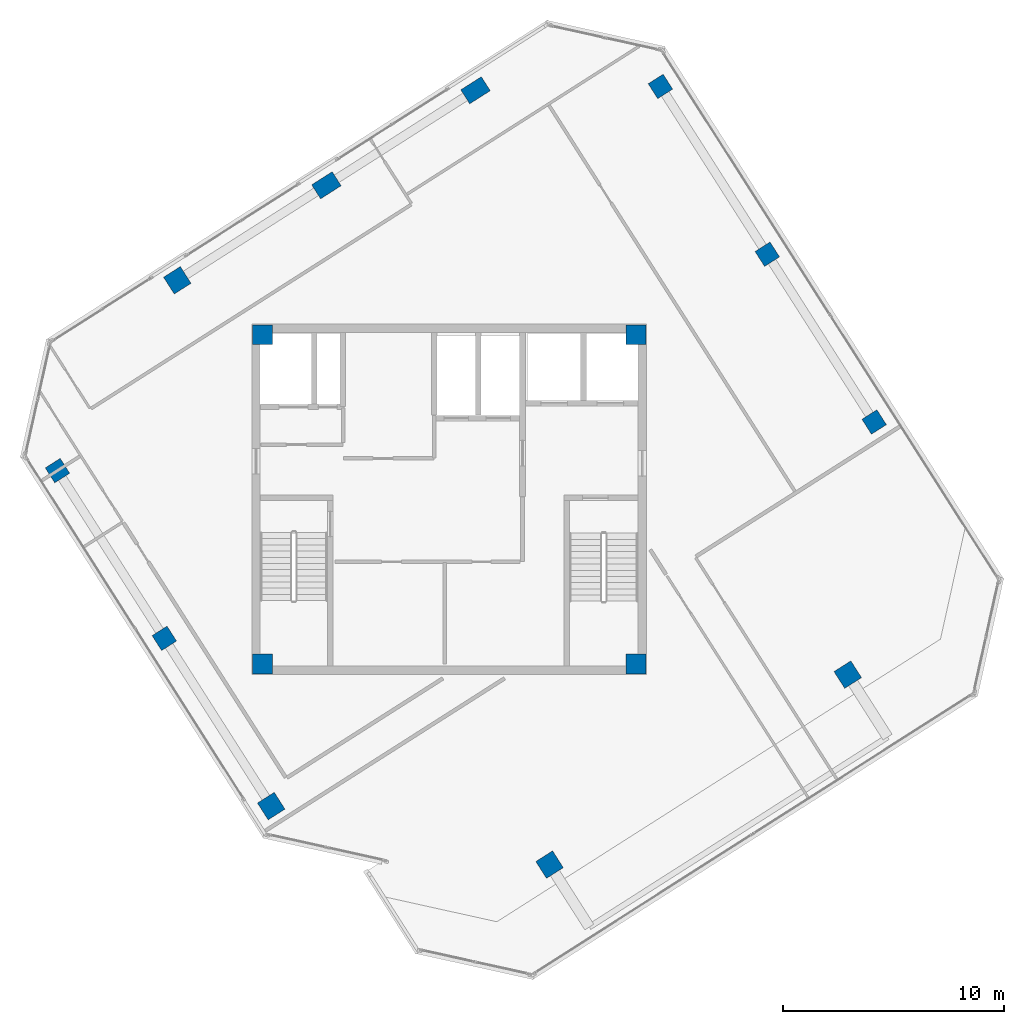
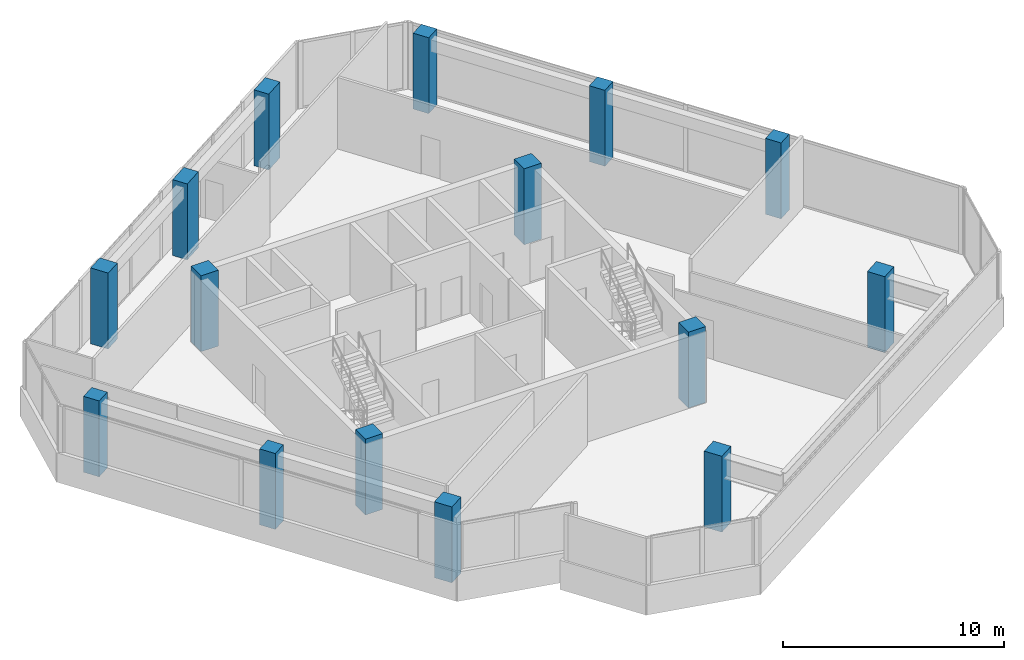
# One storey, part 1 of 15: 15 columns.
"""IFC4 building model written with IfcOpenShell, lengths in metres."""

from ifc_helpers import new_model, si_unit, direction, frame, origin, origin_2d, place, context, subcontext, project, spatial, rectangle, extrude, source, transform, mapped, material, material_profile, profile_set, type_object, element, save


model = new_model("IFC4")

# Units and contexts
model_context = context("Model", 3, precision=1e-05, world=origin(), true_north=direction((0.0, 1.0)))
body_context = subcontext(model_context, "Body", "Model", "MODEL_VIEW")
ifc_project = project(units=[si_unit("LENGTHUNIT", "METRE"), si_unit("AREAUNIT", "SQUARE_METRE"), si_unit("VOLUMEUNIT", "CUBIC_METRE"), si_unit("PLANEANGLEUNIT", "RADIAN"), si_unit("MASSUNIT", "GRAM", prefix="KILO")], contexts=[model_context])

# Site, building, storey
site_placement = place(None, origin())
site = spatial("IfcSite", under=ifc_project, at=site_placement, CompositionType="ELEMENT")
building_placement = place(site_placement, origin())
building = spatial("IfcBuilding", under=site, at=building_placement, Name="Torre Montelarca", CompositionType="ELEMENT")
storey_placement = place(building_placement, frame((0.0, 0.0, 311.39990234375)))
storey = spatial("IfcBuildingStorey", under=building, at=storey_placement, Name="L70", CompositionType="ELEMENT", Elevation=311.39990234375)

# Columns
ifc_material_1 = material(Name="Concrete C55/67", Category="concrete")
ifc_material_profile_1 = material_profile(ifc_material_1, rectangle(XDim=0.89990234375, YDim=0.89990234375, at=origin_2d()), Name="RC900X900", Category="concrete")
ifc_profile_set_1 = profile_set([ifc_material_profile_1], Name="Concrete C55/67")
column_type_1 = type_object("IfcColumnType", Name="COL-RC900", PredefinedType="COLUMN", material=ifc_profile_set_1)
shared_shape_1 = source(origin(), body_context, "Body", "SweptSolid", [
    extrude(rectangle(XDim=0.89990234375, YDim=0.89990234375, at=origin_2d()), origin(), (0.0, 0.0, 1.0), 4.19873046875),
])
for number, where, z_axis, x_axis, name in (
    (1, (9.550048828125, 24.550048828125, 0.000732421875), (0.0, 0.0, 1.0), (1.0, 0.0, 0.0), "L70 Plumb Core Corner Column 2D"),
    (2, (26.449951171875, 24.550048828125, 0.000732421875), (0.0, 0.0, 1.0), (1.0, 0.0, 0.0), "L70 Plumb Core Corner Column 4D"),
    (3, (9.550048828125, 39.449951171875, 0.000732421875), (0.0, 0.0, 1.0), (1.0, 0.0, 0.0), "L70 Plumb Core Corner Column 2F"),
    (4, (26.449951171875, 39.449951171875, 0.000732421875), (0.0, 0.0, 1.0), (1.0, 0.0, 0.0), "L70 Plumb Core Corner Column 4F"),
):
    element("IfcColumn", number, at=place(storey_placement, frame(where, z_axis=z_axis, x_axis=x_axis)), inside=storey, type_object=column_type_1, Name=name, PredefinedType="COLUMN", context=body_context, shape_type="MappedRepresentation", body=[
        mapped(shared_shape_1, transform((0.0, 0.0, 0.0), scale=1.0)),
    ])
ifc_material_profile_2 = material_profile(ifc_material_1, rectangle(XDim=0.89990234375, YDim=0.89990234375, at=origin_2d()), Name="RC900X900", Category="concrete")
ifc_profile_set_2 = profile_set([ifc_material_profile_2], Name="Concrete C55/67")
column_type_2 = type_object("IfcColumnType", Name="COL-RC900-EXT", PredefinedType="COLUMN", material=ifc_profile_set_2)
shared_shape_2 = source(origin(), body_context, "Body", "SweptSolid", [
    extrude(rectangle(XDim=0.89990234375, YDim=0.89990234375, at=origin_2d()), origin(), (0.0, 0.0, 1.0), 4.19873046875),
])
for number, where, z_axis, x_axis, name in (
    (5, (9.94873046875, 18.119873046875, 0.000732421875), (0.0, 0.0, 1.0), (-0.537299608347, 0.843391445813, 0.0), "L70 Column 4/CS"),
    (6, (22.543701171875, 15.472412109375, 0.000732421875), (0.0, 0.0, 1.0), (-0.537299608347, 0.843391445813, 0.0), "L70 Column 5/D"),
    (7, (36.0380859375, 24.069091796875, 0.000732421875), (0.0, 0.0, 1.0), (-0.537299608347, 0.843391445813, 0.0), "L70 Column 5/F"),
    (8, (5.699462890625, 41.91259765625, 0.000732421875), (0.0, 0.0, 1.0), (-0.537299608347, 0.843391445813, 0.0), "L70 Column 1W/D"),
):
    element("IfcColumn", number, at=place(storey_placement, frame(where, z_axis=z_axis, x_axis=x_axis)), inside=storey, type_object=column_type_2, Name=name, PredefinedType="COLUMN", context=body_context, shape_type="MappedRepresentation", body=[
        mapped(shared_shape_2, transform((0.0, 0.0, 0.0), scale=1.0)),
    ])
ifc_material_2 = material(Name="Concrete C40/50", Category="concrete")
ifc_material_profile_3 = material_profile(ifc_material_2, rectangle(XDim=0.75, YDim=1.10009765625, at=origin_2d()), Name="RC1100X750", Category="concrete")
ifc_profile_set_3 = profile_set([ifc_material_profile_3], Name="Concrete C40/50")
column_type_3 = type_object("IfcColumnType", Name="COL-PIL1100-EXT", PredefinedType="PILASTER", material=ifc_profile_set_3)
shared_shape_3 = source(origin(), body_context, "Body", "SweptSolid", [
    extrude(rectangle(XDim=0.75, YDim=1.10009765625, at=origin_2d()), origin(), (0.0, 0.0, 1.0), 4.19873046875),
])
for number, where, z_axis, x_axis, name in (
    (9, (12.446533203125, 46.211181640625, 0.000732421875), (0.0, 0.0, 1.0), (-0.537299608347, 0.843391445813, 0.0), "L70 Column 1W/E"),
    (10, (19.193603515625, 50.509521484375, 0.000732421875), (0.0, 0.0, 1.0), (-0.537299608347, 0.843391445813, 0.0), "L70 Column 1W/F"),
):
    element("IfcColumn", number, at=place(storey_placement, frame(where, z_axis=z_axis, x_axis=x_axis)), inside=storey, type_object=column_type_3, Name=name, PredefinedType="PILASTER", context=body_context, shape_type="MappedRepresentation", body=[
        mapped(shared_shape_3, transform((0.0, 0.0, 0.0), scale=1.0)),
    ])
ifc_material_profile_4 = material_profile(ifc_material_2, rectangle(XDim=0.800048828125, YDim=0.800048828125, at=origin_2d()), Name="RC800X800", Category="concrete")
ifc_profile_set_4 = profile_set([ifc_material_profile_4], Name="Concrete C40/50")
column_type_4 = type_object("IfcColumnType", Name="COL-RC800-EXT", PredefinedType="COLUMN", material=ifc_profile_set_4)
shared_shape_4 = source(origin(), body_context, "Body", "SweptSolid", [
    extrude(rectangle(XDim=0.800048828125, YDim=0.800048828125, at=origin_2d()), origin(), (0.0, 0.0, 1.0), 4.19873046875),
])
for number, where, z_axis, x_axis, name in (
    (11, (0.27734375, 33.30078125, 0.000732421875), (0.0, 0.0, 1.0), (-0.537299608347, 0.843391445813, 0.0), "L70 Column 2/CS"),
    (12, (27.56103515625, 50.6826171875, 0.000732421875), (0.0, 0.0, 1.0), (-0.537299608347, 0.843391445813, 0.0), "L70 Column 2/GN"),
    (13, (5.113037109375, 25.710205078125, 0.000732421875), (0.0, 0.0, 1.0), (-0.537299608347, 0.843391445813, 0.0), "L70 Column 3/CS"),
    (14, (32.396728515625, 43.092041015625, 0.000732421875), (0.0, 0.0, 1.0), (-0.537299608347, 0.843391445813, 0.0), "L70 Column 3/GN"),
    (15, (37.232421875, 35.50146484375, 0.000732421875), (0.0, 0.0, 1.0), (-0.537299608347, 0.843391445813, 0.0), "L70 Column 4/GN"),
):
    element("IfcColumn", number, at=place(storey_placement, frame(where, z_axis=z_axis, x_axis=x_axis)), inside=storey, type_object=column_type_4, Name=name, PredefinedType="COLUMN", context=body_context, shape_type="MappedRepresentation", body=[
        mapped(shared_shape_4, transform((0.0, 0.0, 0.0), scale=1.0)),
    ])

save(model, "model.ifc")
